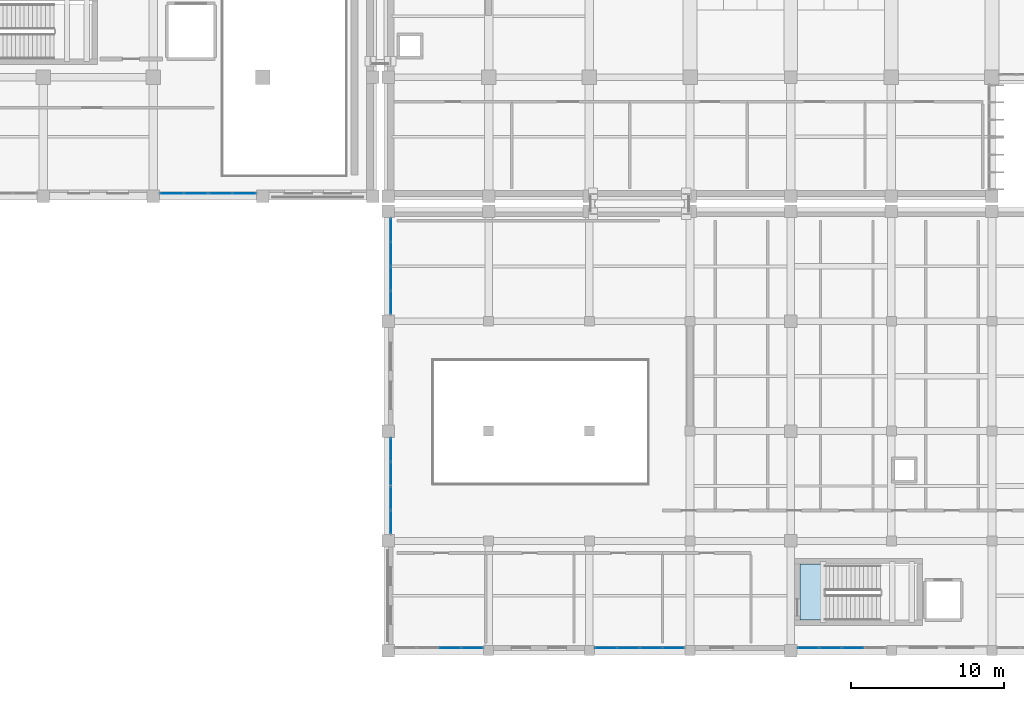
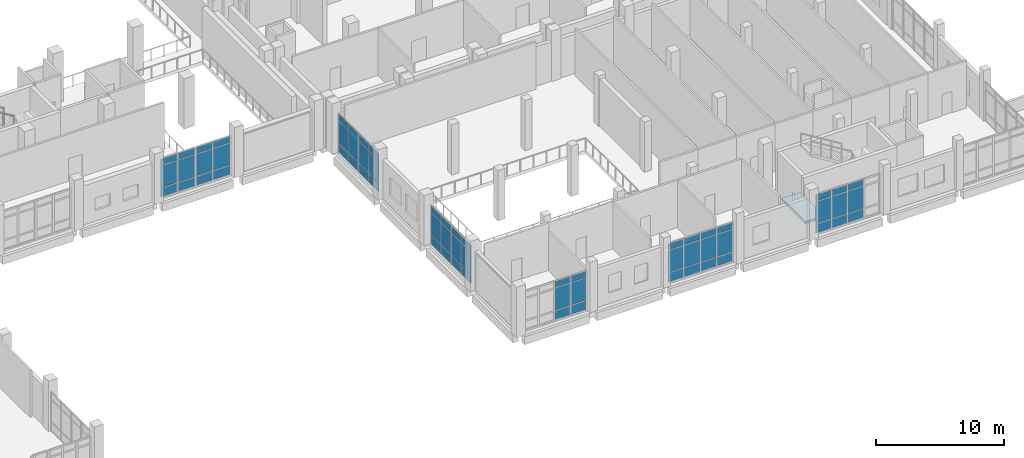
# One storey, part 51 of 90: 63 plates, 1 slab, 9 elements without a shape of their own.
"""IFC4 building model written with IfcOpenShell, lengths in metres."""

from ifc_helpers import new_model, si_unit, direction, frame, origin, origin_2d, place, context, subcontext, project, spatial, polyline, rectangle, outline, extrude, material, layer, layer_set, type_object, element, aggregate, save


model = new_model("IFC4")

# Units and contexts
model_context = context("Model", 3, precision=1e-05, world=origin(), true_north=direction((0.0, 1.0)))
body_context = subcontext(model_context, "Body", "Model", "MODEL_VIEW")
ifc_project = project(units=[si_unit("LENGTHUNIT", "METRE"), si_unit("AREAUNIT", "SQUARE_METRE"), si_unit("VOLUMEUNIT", "CUBIC_METRE"), si_unit("PLANEANGLEUNIT", "RADIAN"), si_unit("MASSUNIT", "GRAM", prefix="KILO")], contexts=[model_context])

# Site, building, storey
site_placement = place(None, origin())
site = spatial("IfcSite", under=ifc_project, at=site_placement, CompositionType="ELEMENT")
building_placement = place(site_placement, origin())
building = spatial("IfcBuilding", under=site, at=building_placement, Name="Kelarvand Opera House", CompositionType="ELEMENT")
storey_placement = place(building_placement, frame((0.0, 0.0, 5.39990234375)))
storey = spatial("IfcBuildingStorey", under=building, at=storey_placement, Name="L01", CompositionType="ELEMENT", Elevation=5.39990234375)

# Slab
ifc_material_1 = material(Name="Concrete C35/45", Category="concrete")
ifc_layer_1 = layer(ifc_material_1, 0.219970703125, Name="Concrete C35/45", Category="concrete")
ifc_layer_set_1 = layer_set([ifc_layer_1], Name="Concrete C35/45")
slab_type = type_object("IfcSlabType", Name="Core Stair Entry Landing Slab 220", PredefinedType="LANDING", material=ifc_layer_set_1)
slab_placement = place(storey_placement, frame((0.0, 0.0, -0.219970703125)))
element("IfcSlab", 1, at=slab_placement, inside=storey, type_object=slab_type, Name="C8 Stair Entry Landing L01", PredefinedType="LANDING", context=body_context, shape_type="SweptSolid", body=[
    extrude(outline(polyline([(116.0, 11.0), (117.719970703125, 11.0), (117.719970703125, 14.699951171875), (116.0, 14.699951171875), (116.0, 11.0)])), origin(), (0.0, 0.0, 1.0), 0.219970703125),
])

# Curtain wall, plates
ifc_material_2 = material(Name="Thermally broken aluminium and low-E glazing", Category="aluminium")
ifc_layer_2 = layer(ifc_material_2, 0.179931640625, Name="Thermally broken aluminium and low-E glazing", Category="aluminium")
ifc_layer_set_2 = layer_set([ifc_layer_2], Name="Thermally broken aluminium and low-E glazing")
curtain_wall_type_1 = type_object("IfcCurtainWallType", Name="Unitised Low-E Curtain Wall 3176x3730 Mod 1350 CWF-10", PredefinedType="USERDEFINED", material=ifc_layer_set_2)
curtain_wall_1_placement = place(storey_placement, origin())
curtain_wall_1 = element("IfcCurtainWall", 2, at=curtain_wall_1_placement, inside=storey, type_object=curtain_wall_type_1, Name="V2 L01 Curtain Wall CWF-10 (35)", ObjectType="UNITISED CURTAIN WALL", PredefinedType="USERDEFINED")
ifc_material_3 = material(Name="Low-E laminated double glazing", Category="glass")
ifc_layer_3 = layer(ifc_material_3, 0.031982421875, Name="Low-E laminated double glazing", Category="glass")
ifc_layer_set_3 = layer_set([ifc_layer_3], Name="Low-E laminated double glazing")
plate_type = type_object("IfcPlateType", Name="Low-E Argon Double Glazed Curtain Panel 32mm", PredefinedType="CURTAIN_PANEL", material=ifc_layer_set_3)
plate_1_placement = place(storey_placement, frame((79.56982421875, 38.97998046875, 0.06494140625), z_axis=(0.0, 0.0, 1.0), x_axis=(-1.0, 0.0, 0.0)))
plate_1 = element("IfcPlate", 3, at=plate_1_placement, type_object=plate_type, Name="CWF-10 panel 1.1", PredefinedType="CURTAIN_PANEL", context=body_context, shape_type="SweptSolid", body=[
    extrude(rectangle(XDim=1.490478515625, YDim=0.031982421875, at=origin_2d()), origin(), (0.0, 0.0, 1.0), 0.802490234375),
])
plate_2_placement = place(storey_placement, frame((79.56982421875, 38.97998046875, 0.9326171875), z_axis=(0.0, 0.0, 1.0), x_axis=(-1.0, 0.0, 0.0)))
plate_2 = element("IfcPlate", 4, at=plate_2_placement, type_object=plate_type, Name="CWF-10 panel 1.2", PredefinedType="CURTAIN_PANEL", context=body_context, shape_type="SweptSolid", body=[
    extrude(rectangle(XDim=1.490478515625, YDim=0.031982421875, at=origin_2d()), origin(), (0.0, 0.0, 1.0), 2.06494140625),
])
plate_3_placement = place(storey_placement, frame((79.56982421875, 38.97998046875, 3.0625), z_axis=(0.0, 0.0, 1.0), x_axis=(-1.0, 0.0, 0.0)))
plate_3 = element("IfcPlate", 5, at=plate_3_placement, type_object=plate_type, Name="CWF-10 panel 1.3", PredefinedType="CURTAIN_PANEL", context=body_context, shape_type="SweptSolid", body=[
    extrude(rectangle(XDim=1.490478515625, YDim=0.031982421875, at=origin_2d()), origin(), (0.0, 0.0, 1.0), 0.6025390625),
])
plate_4_placement = place(storey_placement, frame((78.01416015625, 38.97998046875, 0.06494140625), z_axis=(0.0, 0.0, 1.0), x_axis=(-1.0, 0.0, 0.0)))
plate_4 = element("IfcPlate", 6, at=plate_4_placement, type_object=plate_type, Name="CWF-10 panel 2.1", PredefinedType="CURTAIN_PANEL", context=body_context, shape_type="SweptSolid", body=[
    extrude(rectangle(XDim=1.490478515625, YDim=0.031982421875, at=origin_2d()), origin(), (0.0, 0.0, 1.0), 0.802490234375),
])
plate_5_placement = place(storey_placement, frame((78.01416015625, 38.97998046875, 0.9326171875), z_axis=(0.0, 0.0, 1.0), x_axis=(-1.0, 0.0, 0.0)))
plate_5 = element("IfcPlate", 7, at=plate_5_placement, type_object=plate_type, Name="CWF-10 panel 2.2", PredefinedType="CURTAIN_PANEL", context=body_context, shape_type="SweptSolid", body=[
    extrude(rectangle(XDim=1.490478515625, YDim=0.031982421875, at=origin_2d()), origin(), (0.0, 0.0, 1.0), 2.06494140625),
])
plate_6_placement = place(storey_placement, frame((78.01416015625, 38.97998046875, 3.0625), z_axis=(0.0, 0.0, 1.0), x_axis=(-1.0, 0.0, 0.0)))
plate_6 = element("IfcPlate", 8, at=plate_6_placement, type_object=plate_type, Name="CWF-10 panel 2.3", PredefinedType="CURTAIN_PANEL", context=body_context, shape_type="SweptSolid", body=[
    extrude(rectangle(XDim=1.490478515625, YDim=0.031982421875, at=origin_2d()), origin(), (0.0, 0.0, 1.0), 0.6025390625),
])
aggregate(curtain_wall_1, [plate_1, plate_2, plate_3, plate_4, plate_5, plate_6])

curtain_wall_2_placement = place(storey_placement, origin())
curtain_wall_2 = element("IfcCurtainWall", 9, at=curtain_wall_2_placement, inside=storey, type_object=curtain_wall_type_1, Name="V2 L01 Curtain Wall CWF-10 (36)", ObjectType="UNITISED CURTAIN WALL", PredefinedType="USERDEFINED")
plate_7_placement = place(storey_placement, frame((76.388671875, 38.97998046875, 0.06494140625), z_axis=(0.0, 0.0, 1.0), x_axis=(-1.0, 0.0, 0.0)))
plate_7 = element("IfcPlate", 10, at=plate_7_placement, type_object=plate_type, Name="CWF-10 panel 1.1", PredefinedType="CURTAIN_PANEL", context=body_context, shape_type="SweptSolid", body=[
    extrude(rectangle(XDim=1.492431640625, YDim=0.031982421875, at=origin_2d()), origin(), (0.0, 0.0, 1.0), 0.802490234375),
])
plate_8_placement = place(storey_placement, frame((76.388671875, 38.97998046875, 0.9326171875), z_axis=(0.0, 0.0, 1.0), x_axis=(-1.0, 0.0, 0.0)))
plate_8 = element("IfcPlate", 11, at=plate_8_placement, type_object=plate_type, Name="CWF-10 panel 1.2", PredefinedType="CURTAIN_PANEL", context=body_context, shape_type="SweptSolid", body=[
    extrude(rectangle(XDim=1.492431640625, YDim=0.031982421875, at=origin_2d()), origin(), (0.0, 0.0, 1.0), 2.06494140625),
])
plate_9_placement = place(storey_placement, frame((76.388671875, 38.97998046875, 3.0625), z_axis=(0.0, 0.0, 1.0), x_axis=(-1.0, 0.0, 0.0)))
plate_9 = element("IfcPlate", 12, at=plate_9_placement, type_object=plate_type, Name="CWF-10 panel 1.3", PredefinedType="CURTAIN_PANEL", context=body_context, shape_type="SweptSolid", body=[
    extrude(rectangle(XDim=1.492431640625, YDim=0.031982421875, at=origin_2d()), origin(), (0.0, 0.0, 1.0), 0.6025390625),
])
plate_10_placement = place(storey_placement, frame((74.831298828125, 38.97998046875, 0.06494140625), z_axis=(0.0, 0.0, 1.0), x_axis=(-1.0, 0.0, 0.0)))
plate_10 = element("IfcPlate", 13, at=plate_10_placement, type_object=plate_type, Name="CWF-10 panel 2.1", PredefinedType="CURTAIN_PANEL", context=body_context, shape_type="SweptSolid", body=[
    extrude(rectangle(XDim=1.492431640625, YDim=0.031982421875, at=origin_2d()), origin(), (0.0, 0.0, 1.0), 0.802490234375),
])
plate_11_placement = place(storey_placement, frame((74.831298828125, 38.97998046875, 0.9326171875), z_axis=(0.0, 0.0, 1.0), x_axis=(-1.0, 0.0, 0.0)))
plate_11 = element("IfcPlate", 14, at=plate_11_placement, type_object=plate_type, Name="CWF-10 panel 2.2", PredefinedType="CURTAIN_PANEL", context=body_context, shape_type="SweptSolid", body=[
    extrude(rectangle(XDim=1.492431640625, YDim=0.031982421875, at=origin_2d()), origin(), (0.0, 0.0, 1.0), 2.06494140625),
])
plate_12_placement = place(storey_placement, frame((74.831298828125, 38.97998046875, 3.0625), z_axis=(0.0, 0.0, 1.0), x_axis=(-1.0, 0.0, 0.0)))
plate_12 = element("IfcPlate", 15, at=plate_12_placement, type_object=plate_type, Name="CWF-10 panel 2.3", PredefinedType="CURTAIN_PANEL", context=body_context, shape_type="SweptSolid", body=[
    extrude(rectangle(XDim=1.492431640625, YDim=0.031982421875, at=origin_2d()), origin(), (0.0, 0.0, 1.0), 0.6025390625),
])
aggregate(curtain_wall_2, [plate_7, plate_8, plate_9, plate_10, plate_11, plate_12])

curtain_wall_3_placement = place(storey_placement, origin())
curtain_wall_3 = element("IfcCurtainWall", 16, at=curtain_wall_3_placement, inside=storey, type_object=curtain_wall_type_1, Name="V6 L01 Curtain Wall CWF-10 (209)", ObjectType="UNITISED CURTAIN WALL", PredefinedType="USERDEFINED")
plate_13_placement = place(storey_placement, frame((89.179931640625, 17.43017578125, 0.06494140625), z_axis=(0.0, 0.0, 1.0), x_axis=(0.0, 1.0, 0.0)))
plate_13 = element("IfcPlate", 17, at=plate_13_placement, type_object=plate_type, Name="CWF-10 panel 1.1", PredefinedType="CURTAIN_PANEL", context=body_context, shape_type="SweptSolid", body=[
    extrude(rectangle(XDim=1.490478515625, YDim=0.031982421875, at=origin_2d()), origin(), (0.0, 0.0, 1.0), 0.802490234375),
])
plate_14_placement = place(storey_placement, frame((89.179931640625, 17.43017578125, 0.9326171875), z_axis=(0.0, 0.0, 1.0), x_axis=(0.0, 1.0, 0.0)))
plate_14 = element("IfcPlate", 18, at=plate_14_placement, type_object=plate_type, Name="CWF-10 panel 1.2", PredefinedType="CURTAIN_PANEL", context=body_context, shape_type="SweptSolid", body=[
    extrude(rectangle(XDim=1.490478515625, YDim=0.031982421875, at=origin_2d()), origin(), (0.0, 0.0, 1.0), 2.0849609375),
])
plate_15_placement = place(storey_placement, frame((89.179931640625, 17.43017578125, 3.08251953125), z_axis=(0.0, 0.0, 1.0), x_axis=(0.0, 1.0, 0.0)))
plate_15 = element("IfcPlate", 19, at=plate_15_placement, type_object=plate_type, Name="CWF-10 panel 1.3", PredefinedType="CURTAIN_PANEL", context=body_context, shape_type="SweptSolid", body=[
    extrude(rectangle(XDim=1.490478515625, YDim=0.031982421875, at=origin_2d()), origin(), (0.0, 0.0, 1.0), 0.6025390625),
])
plate_16_placement = place(storey_placement, frame((89.179931640625, 18.98583984375, 0.06494140625), z_axis=(0.0, 0.0, 1.0), x_axis=(0.0, 1.0, 0.0)))
plate_16 = element("IfcPlate", 20, at=plate_16_placement, type_object=plate_type, Name="CWF-10 panel 2.1", PredefinedType="CURTAIN_PANEL", context=body_context, shape_type="SweptSolid", body=[
    extrude(rectangle(XDim=1.490478515625, YDim=0.031982421875, at=origin_2d()), origin(), (0.0, 0.0, 1.0), 0.802490234375),
])
plate_17_placement = place(storey_placement, frame((89.179931640625, 18.98583984375, 0.9326171875), z_axis=(0.0, 0.0, 1.0), x_axis=(0.0, 1.0, 0.0)))
plate_17 = element("IfcPlate", 21, at=plate_17_placement, type_object=plate_type, Name="CWF-10 panel 2.2", PredefinedType="CURTAIN_PANEL", context=body_context, shape_type="SweptSolid", body=[
    extrude(rectangle(XDim=1.490478515625, YDim=0.031982421875, at=origin_2d()), origin(), (0.0, 0.0, 1.0), 2.0849609375),
])
plate_18_placement = place(storey_placement, frame((89.179931640625, 18.98583984375, 3.08251953125), z_axis=(0.0, 0.0, 1.0), x_axis=(0.0, 1.0, 0.0)))
plate_18 = element("IfcPlate", 22, at=plate_18_placement, type_object=plate_type, Name="CWF-10 panel 2.3", PredefinedType="CURTAIN_PANEL", context=body_context, shape_type="SweptSolid", body=[
    extrude(rectangle(XDim=1.490478515625, YDim=0.031982421875, at=origin_2d()), origin(), (0.0, 0.0, 1.0), 0.6025390625),
])
aggregate(curtain_wall_3, [plate_13, plate_14, plate_15, plate_16, plate_17, plate_18])

curtain_wall_4_placement = place(storey_placement, origin())
curtain_wall_4 = element("IfcCurtainWall", 23, at=curtain_wall_4_placement, inside=storey, type_object=curtain_wall_type_1, Name="V6 L01 Curtain Wall CWF-10 (210)", ObjectType="UNITISED CURTAIN WALL", PredefinedType="USERDEFINED")
plate_19_placement = place(storey_placement, frame((89.179931640625, 20.611328125, 0.06494140625), z_axis=(0.0, 0.0, 1.0), x_axis=(0.0, 1.0, 0.0)))
plate_19 = element("IfcPlate", 24, at=plate_19_placement, type_object=plate_type, Name="CWF-10 panel 1.1", PredefinedType="CURTAIN_PANEL", context=body_context, shape_type="SweptSolid", body=[
    extrude(rectangle(XDim=1.492431640625, YDim=0.031982421875, at=origin_2d()), origin(), (0.0, 0.0, 1.0), 0.802490234375),
])
plate_20_placement = place(storey_placement, frame((89.179931640625, 20.611328125, 0.9326171875), z_axis=(0.0, 0.0, 1.0), x_axis=(0.0, 1.0, 0.0)))
plate_20 = element("IfcPlate", 25, at=plate_20_placement, type_object=plate_type, Name="CWF-10 panel 1.2", PredefinedType="CURTAIN_PANEL", context=body_context, shape_type="SweptSolid", body=[
    extrude(rectangle(XDim=1.492431640625, YDim=0.031982421875, at=origin_2d()), origin(), (0.0, 0.0, 1.0), 2.0849609375),
])
plate_21_placement = place(storey_placement, frame((89.179931640625, 20.611328125, 3.08251953125), z_axis=(0.0, 0.0, 1.0), x_axis=(0.0, 1.0, 0.0)))
plate_21 = element("IfcPlate", 26, at=plate_21_placement, type_object=plate_type, Name="CWF-10 panel 1.3", PredefinedType="CURTAIN_PANEL", context=body_context, shape_type="SweptSolid", body=[
    extrude(rectangle(XDim=1.492431640625, YDim=0.031982421875, at=origin_2d()), origin(), (0.0, 0.0, 1.0), 0.6025390625),
])
plate_22_placement = place(storey_placement, frame((89.179931640625, 22.168701171875, 0.06494140625), z_axis=(0.0, 0.0, 1.0), x_axis=(0.0, 1.0, 0.0)))
plate_22 = element("IfcPlate", 27, at=plate_22_placement, type_object=plate_type, Name="CWF-10 panel 2.1", PredefinedType="CURTAIN_PANEL", context=body_context, shape_type="SweptSolid", body=[
    extrude(rectangle(XDim=1.492431640625, YDim=0.031982421875, at=origin_2d()), origin(), (0.0, 0.0, 1.0), 0.802490234375),
])
plate_23_placement = place(storey_placement, frame((89.179931640625, 22.168701171875, 0.9326171875), z_axis=(0.0, 0.0, 1.0), x_axis=(0.0, 1.0, 0.0)))
plate_23 = element("IfcPlate", 28, at=plate_23_placement, type_object=plate_type, Name="CWF-10 panel 2.2", PredefinedType="CURTAIN_PANEL", context=body_context, shape_type="SweptSolid", body=[
    extrude(rectangle(XDim=1.492431640625, YDim=0.031982421875, at=origin_2d()), origin(), (0.0, 0.0, 1.0), 2.0849609375),
])
plate_24_placement = place(storey_placement, frame((89.179931640625, 22.168701171875, 3.08251953125), z_axis=(0.0, 0.0, 1.0), x_axis=(0.0, 1.0, 0.0)))
plate_24 = element("IfcPlate", 29, at=plate_24_placement, type_object=plate_type, Name="CWF-10 panel 2.3", PredefinedType="CURTAIN_PANEL", context=body_context, shape_type="SweptSolid", body=[
    extrude(rectangle(XDim=1.492431640625, YDim=0.031982421875, at=origin_2d()), origin(), (0.0, 0.0, 1.0), 0.6025390625),
])
aggregate(curtain_wall_4, [plate_19, plate_20, plate_21, plate_22, plate_23, plate_24])

curtain_wall_5_placement = place(storey_placement, origin())
curtain_wall_5 = element("IfcCurtainWall", 30, at=curtain_wall_5_placement, inside=storey, type_object=curtain_wall_type_1, Name="V6 L01 Curtain Wall CWF-10 (211)", ObjectType="UNITISED CURTAIN WALL", PredefinedType="USERDEFINED")
plate_25_placement = place(storey_placement, frame((89.179931640625, 31.830322265625, 0.06494140625), z_axis=(0.0, 0.0, 1.0), x_axis=(0.0, 1.0, 0.0)))
plate_25 = element("IfcPlate", 31, at=plate_25_placement, type_object=plate_type, Name="CWF-10 panel 1.1", PredefinedType="CURTAIN_PANEL", context=body_context, shape_type="SweptSolid", body=[
    extrude(rectangle(XDim=1.490478515625, YDim=0.031982421875, at=origin_2d()), origin(), (0.0, 0.0, 1.0), 0.802490234375),
])
plate_26_placement = place(storey_placement, frame((89.179931640625, 31.830322265625, 0.9326171875), z_axis=(0.0, 0.0, 1.0), x_axis=(0.0, 1.0, 0.0)))
plate_26 = element("IfcPlate", 32, at=plate_26_placement, type_object=plate_type, Name="CWF-10 panel 1.2", PredefinedType="CURTAIN_PANEL", context=body_context, shape_type="SweptSolid", body=[
    extrude(rectangle(XDim=1.490478515625, YDim=0.031982421875, at=origin_2d()), origin(), (0.0, 0.0, 1.0), 2.0849609375),
])
plate_27_placement = place(storey_placement, frame((89.179931640625, 31.830322265625, 3.08251953125), z_axis=(0.0, 0.0, 1.0), x_axis=(0.0, 1.0, 0.0)))
plate_27 = element("IfcPlate", 33, at=plate_27_placement, type_object=plate_type, Name="CWF-10 panel 1.3", PredefinedType="CURTAIN_PANEL", context=body_context, shape_type="SweptSolid", body=[
    extrude(rectangle(XDim=1.490478515625, YDim=0.031982421875, at=origin_2d()), origin(), (0.0, 0.0, 1.0), 0.6025390625),
])
plate_28_placement = place(storey_placement, frame((89.179931640625, 33.3857421875, 0.06494140625), z_axis=(0.0, 0.0, 1.0), x_axis=(0.0, 1.0, 0.0)))
plate_28 = element("IfcPlate", 34, at=plate_28_placement, type_object=plate_type, Name="CWF-10 panel 2.1", PredefinedType="CURTAIN_PANEL", context=body_context, shape_type="SweptSolid", body=[
    extrude(rectangle(XDim=1.490478515625, YDim=0.031982421875, at=origin_2d()), origin(), (0.0, 0.0, 1.0), 0.802490234375),
])
plate_29_placement = place(storey_placement, frame((89.179931640625, 33.3857421875, 0.9326171875), z_axis=(0.0, 0.0, 1.0), x_axis=(0.0, 1.0, 0.0)))
plate_29 = element("IfcPlate", 35, at=plate_29_placement, type_object=plate_type, Name="CWF-10 panel 2.2", PredefinedType="CURTAIN_PANEL", context=body_context, shape_type="SweptSolid", body=[
    extrude(rectangle(XDim=1.490478515625, YDim=0.031982421875, at=origin_2d()), origin(), (0.0, 0.0, 1.0), 2.0849609375),
])
plate_30_placement = place(storey_placement, frame((89.179931640625, 33.3857421875, 3.08251953125), z_axis=(0.0, 0.0, 1.0), x_axis=(0.0, 1.0, 0.0)))
plate_30 = element("IfcPlate", 36, at=plate_30_placement, type_object=plate_type, Name="CWF-10 panel 2.3", PredefinedType="CURTAIN_PANEL", context=body_context, shape_type="SweptSolid", body=[
    extrude(rectangle(XDim=1.490478515625, YDim=0.031982421875, at=origin_2d()), origin(), (0.0, 0.0, 1.0), 0.6025390625),
])
aggregate(curtain_wall_5, [plate_25, plate_26, plate_27, plate_28, plate_29, plate_30])

curtain_wall_6_placement = place(storey_placement, origin())
curtain_wall_6 = element("IfcCurtainWall", 37, at=curtain_wall_6_placement, inside=storey, type_object=curtain_wall_type_1, Name="V6 L01 Curtain Wall CWF-10 (212)", ObjectType="UNITISED CURTAIN WALL", PredefinedType="USERDEFINED")
plate_31_placement = place(storey_placement, frame((89.179931640625, 35.01123046875, 0.06494140625), z_axis=(0.0, 0.0, 1.0), x_axis=(0.0, 1.0, 0.0)))
plate_31 = element("IfcPlate", 38, at=plate_31_placement, type_object=plate_type, Name="CWF-10 panel 1.1", PredefinedType="CURTAIN_PANEL", context=body_context, shape_type="SweptSolid", body=[
    extrude(rectangle(XDim=1.492431640625, YDim=0.031982421875, at=origin_2d()), origin(), (0.0, 0.0, 1.0), 0.802490234375),
])
plate_32_placement = place(storey_placement, frame((89.179931640625, 35.01123046875, 0.9326171875), z_axis=(0.0, 0.0, 1.0), x_axis=(0.0, 1.0, 0.0)))
plate_32 = element("IfcPlate", 39, at=plate_32_placement, type_object=plate_type, Name="CWF-10 panel 1.2", PredefinedType="CURTAIN_PANEL", context=body_context, shape_type="SweptSolid", body=[
    extrude(rectangle(XDim=1.492431640625, YDim=0.031982421875, at=origin_2d()), origin(), (0.0, 0.0, 1.0), 2.0849609375),
])
plate_33_placement = place(storey_placement, frame((89.179931640625, 35.01123046875, 3.08251953125), z_axis=(0.0, 0.0, 1.0), x_axis=(0.0, 1.0, 0.0)))
plate_33 = element("IfcPlate", 40, at=plate_33_placement, type_object=plate_type, Name="CWF-10 panel 1.3", PredefinedType="CURTAIN_PANEL", context=body_context, shape_type="SweptSolid", body=[
    extrude(rectangle(XDim=1.492431640625, YDim=0.031982421875, at=origin_2d()), origin(), (0.0, 0.0, 1.0), 0.6025390625),
])
plate_34_placement = place(storey_placement, frame((89.179931640625, 36.56884765625, 0.06494140625), z_axis=(0.0, 0.0, 1.0), x_axis=(0.0, 1.0, 0.0)))
plate_34 = element("IfcPlate", 41, at=plate_34_placement, type_object=plate_type, Name="CWF-10 panel 2.1", PredefinedType="CURTAIN_PANEL", context=body_context, shape_type="SweptSolid", body=[
    extrude(rectangle(XDim=1.492431640625, YDim=0.031982421875, at=origin_2d()), origin(), (0.0, 0.0, 1.0), 0.802490234375),
])
plate_35_placement = place(storey_placement, frame((89.179931640625, 36.56884765625, 0.9326171875), z_axis=(0.0, 0.0, 1.0), x_axis=(0.0, 1.0, 0.0)))
plate_35 = element("IfcPlate", 42, at=plate_35_placement, type_object=plate_type, Name="CWF-10 panel 2.2", PredefinedType="CURTAIN_PANEL", context=body_context, shape_type="SweptSolid", body=[
    extrude(rectangle(XDim=1.492431640625, YDim=0.031982421875, at=origin_2d()), origin(), (0.0, 0.0, 1.0), 2.0849609375),
])
plate_36_placement = place(storey_placement, frame((89.179931640625, 36.56884765625, 3.08251953125), z_axis=(0.0, 0.0, 1.0), x_axis=(0.0, 1.0, 0.0)))
plate_36 = element("IfcPlate", 43, at=plate_36_placement, type_object=plate_type, Name="CWF-10 panel 2.3", PredefinedType="CURTAIN_PANEL", context=body_context, shape_type="SweptSolid", body=[
    extrude(rectangle(XDim=1.492431640625, YDim=0.031982421875, at=origin_2d()), origin(), (0.0, 0.0, 1.0), 0.6025390625),
])
aggregate(curtain_wall_6, [plate_31, plate_32, plate_33, plate_34, plate_35, plate_36])

ifc_layer_4 = layer(ifc_material_2, 0.179931640625, Name="Thermally broken aluminium and low-E glazing", Category="aluminium")
ifc_layer_set_4 = layer_set([ifc_layer_4], Name="Thermally broken aluminium and low-E glazing")
curtain_wall_type_2 = type_object("IfcCurtainWallType", Name="Unitised Low-E Curtain Wall 5845x3750 Mod 1350 CWF-56", PredefinedType="USERDEFINED", material=ifc_layer_set_4)
curtain_wall_7_placement = place(storey_placement, origin())
curtain_wall_7 = element("IfcCurtainWall", 44, at=curtain_wall_7_placement, inside=storey, type_object=curtain_wall_type_2, Name="V6 L01 Curtain Wall CWF-56 (214)", ObjectType="UNITISED CURTAIN WALL", PredefinedType="USERDEFINED")
plate_37_placement = place(storey_placement, frame((119.47314453125, 9.179931640625, 0.06494140625), z_axis=(0.0, 0.0, 1.0), x_axis=(-1.0, 0.0, 0.0)))
plate_37 = element("IfcPlate", 45, at=plate_37_placement, type_object=plate_type, Name="CWF-56 panel 2.1", PredefinedType="CURTAIN_PANEL", context=body_context, shape_type="SweptSolid", body=[
    extrude(rectangle(XDim=1.396240234375, YDim=0.031982421875, at=origin_2d()), origin(), (0.0, 0.0, 1.0), 0.802490234375),
])
plate_38_placement = place(storey_placement, frame((119.47314453125, 9.179931640625, 0.9326171875), z_axis=(0.0, 0.0, 1.0), x_axis=(-1.0, 0.0, 0.0)))
plate_38 = element("IfcPlate", 46, at=plate_38_placement, type_object=plate_type, Name="CWF-56 panel 2.2", PredefinedType="CURTAIN_PANEL", context=body_context, shape_type="SweptSolid", body=[
    extrude(rectangle(XDim=1.396240234375, YDim=0.031982421875, at=origin_2d()), origin(), (0.0, 0.0, 1.0), 2.0849609375),
])
plate_39_placement = place(storey_placement, frame((119.47314453125, 9.179931640625, 3.08251953125), z_axis=(0.0, 0.0, 1.0), x_axis=(-1.0, 0.0, 0.0)))
plate_39 = element("IfcPlate", 47, at=plate_39_placement, type_object=plate_type, Name="CWF-56 panel 2.3", PredefinedType="CURTAIN_PANEL", context=body_context, shape_type="SweptSolid", body=[
    extrude(rectangle(XDim=1.396240234375, YDim=0.031982421875, at=origin_2d()), origin(), (0.0, 0.0, 1.0), 0.6025390625),
])
plate_40_placement = place(storey_placement, frame((118.011962890625, 9.179931640625, 0.06494140625), z_axis=(0.0, 0.0, 1.0), x_axis=(-1.0, 0.0, 0.0)))
plate_40 = element("IfcPlate", 48, at=plate_40_placement, type_object=plate_type, Name="CWF-56 panel 3.1", PredefinedType="CURTAIN_PANEL", context=body_context, shape_type="SweptSolid", body=[
    extrude(rectangle(XDim=1.396240234375, YDim=0.031982421875, at=origin_2d()), origin(), (0.0, 0.0, 1.0), 0.802490234375),
])
plate_41_placement = place(storey_placement, frame((118.011962890625, 9.179931640625, 0.9326171875), z_axis=(0.0, 0.0, 1.0), x_axis=(-1.0, 0.0, 0.0)))
plate_41 = element("IfcPlate", 49, at=plate_41_placement, type_object=plate_type, Name="CWF-56 panel 3.2", PredefinedType="CURTAIN_PANEL", context=body_context, shape_type="SweptSolid", body=[
    extrude(rectangle(XDim=1.396240234375, YDim=0.031982421875, at=origin_2d()), origin(), (0.0, 0.0, 1.0), 2.0849609375),
])
plate_42_placement = place(storey_placement, frame((118.011962890625, 9.179931640625, 3.08251953125), z_axis=(0.0, 0.0, 1.0), x_axis=(-1.0, 0.0, 0.0)))
plate_42 = element("IfcPlate", 50, at=plate_42_placement, type_object=plate_type, Name="CWF-56 panel 3.3", PredefinedType="CURTAIN_PANEL", context=body_context, shape_type="SweptSolid", body=[
    extrude(rectangle(XDim=1.396240234375, YDim=0.031982421875, at=origin_2d()), origin(), (0.0, 0.0, 1.0), 0.6025390625),
])
plate_43_placement = place(storey_placement, frame((116.56689453125, 9.179931640625, 0.06494140625), z_axis=(0.0, 0.0, 1.0), x_axis=(-1.0, 0.0, 0.0)))
plate_43 = element("IfcPlate", 51, at=plate_43_placement, type_object=plate_type, Name="CWF-56 panel 4.1", PredefinedType="CURTAIN_PANEL", context=body_context, shape_type="SweptSolid", body=[
    extrude(rectangle(XDim=1.36376953125, YDim=0.031982421875, at=origin_2d()), origin(), (0.0, 0.0, 1.0), 0.802490234375),
])
plate_44_placement = place(storey_placement, frame((116.56689453125, 9.179931640625, 0.9326171875), z_axis=(0.0, 0.0, 1.0), x_axis=(-1.0, 0.0, 0.0)))
plate_44 = element("IfcPlate", 52, at=plate_44_placement, type_object=plate_type, Name="CWF-56 panel 4.2", PredefinedType="CURTAIN_PANEL", context=body_context, shape_type="SweptSolid", body=[
    extrude(rectangle(XDim=1.36376953125, YDim=0.031982421875, at=origin_2d()), origin(), (0.0, 0.0, 1.0), 2.0849609375),
])
plate_45_placement = place(storey_placement, frame((116.56689453125, 9.179931640625, 3.08251953125), z_axis=(0.0, 0.0, 1.0), x_axis=(-1.0, 0.0, 0.0)))
plate_45 = element("IfcPlate", 53, at=plate_45_placement, type_object=plate_type, Name="CWF-56 panel 4.3", PredefinedType="CURTAIN_PANEL", context=body_context, shape_type="SweptSolid", body=[
    extrude(rectangle(XDim=1.36376953125, YDim=0.031982421875, at=origin_2d()), origin(), (0.0, 0.0, 1.0), 0.6025390625),
])
aggregate(curtain_wall_7, [plate_37, plate_38, plate_39, plate_40, plate_41, plate_42, plate_43, plate_44, plate_45])

ifc_layer_5 = layer(ifc_material_2, 0.179931640625, Name="Thermally broken aluminium and low-E glazing", Category="aluminium")
ifc_layer_set_5 = layer_set([ifc_layer_5], Name="Thermally broken aluminium and low-E glazing")
curtain_wall_type_3 = type_object("IfcCurtainWallType", Name="Unitised Low-E Curtain Wall 5930x3750 Mod 1350 CWF-55", PredefinedType="USERDEFINED", material=ifc_layer_set_5)
curtain_wall_8_placement = place(storey_placement, origin())
curtain_wall_8 = element("IfcCurtainWall", 54, at=curtain_wall_8_placement, inside=storey, type_object=curtain_wall_type_3, Name="V6 L01 Curtain Wall CWF-55 (215)", ObjectType="UNITISED CURTAIN WALL", PredefinedType="USERDEFINED")
plate_46_placement = place(storey_placement, frame((107.70751953125, 9.179931640625, 0.06494140625), z_axis=(0.0, 0.0, 1.0), x_axis=(-1.0, 0.0, 0.0)))
plate_46 = element("IfcPlate", 55, at=plate_46_placement, type_object=plate_type, Name="CWF-55 panel 1.1", PredefinedType="CURTAIN_PANEL", context=body_context, shape_type="SweptSolid", body=[
    extrude(rectangle(XDim=1.385009765625, YDim=0.031982421875, at=origin_2d()), origin(), (0.0, 0.0, 1.0), 0.802490234375),
])
plate_47_placement = place(storey_placement, frame((107.70751953125, 9.179931640625, 0.9326171875), z_axis=(0.0, 0.0, 1.0), x_axis=(-1.0, 0.0, 0.0)))
plate_47 = element("IfcPlate", 56, at=plate_47_placement, type_object=plate_type, Name="CWF-55 panel 1.2", PredefinedType="CURTAIN_PANEL", context=body_context, shape_type="SweptSolid", body=[
    extrude(rectangle(XDim=1.385009765625, YDim=0.031982421875, at=origin_2d()), origin(), (0.0, 0.0, 1.0), 2.0849609375),
])
plate_48_placement = place(storey_placement, frame((107.70751953125, 9.179931640625, 3.08251953125), z_axis=(0.0, 0.0, 1.0), x_axis=(-1.0, 0.0, 0.0)))
plate_48 = element("IfcPlate", 57, at=plate_48_placement, type_object=plate_type, Name="CWF-55 panel 1.3", PredefinedType="CURTAIN_PANEL", context=body_context, shape_type="SweptSolid", body=[
    extrude(rectangle(XDim=1.385009765625, YDim=0.031982421875, at=origin_2d()), origin(), (0.0, 0.0, 1.0), 0.6025390625),
])
plate_49_placement = place(storey_placement, frame((106.2412109375, 9.179931640625, 0.06494140625), z_axis=(0.0, 0.0, 1.0), x_axis=(-1.0, 0.0, 0.0)))
plate_49 = element("IfcPlate", 58, at=plate_49_placement, type_object=plate_type, Name="CWF-55 panel 2.1", PredefinedType="CURTAIN_PANEL", context=body_context, shape_type="SweptSolid", body=[
    extrude(rectangle(XDim=1.41748046875, YDim=0.031982421875, at=origin_2d()), origin(), (0.0, 0.0, 1.0), 0.802490234375),
])
plate_50_placement = place(storey_placement, frame((106.2412109375, 9.179931640625, 0.9326171875), z_axis=(0.0, 0.0, 1.0), x_axis=(-1.0, 0.0, 0.0)))
plate_50 = element("IfcPlate", 59, at=plate_50_placement, type_object=plate_type, Name="CWF-55 panel 2.2", PredefinedType="CURTAIN_PANEL", context=body_context, shape_type="SweptSolid", body=[
    extrude(rectangle(XDim=1.41748046875, YDim=0.031982421875, at=origin_2d()), origin(), (0.0, 0.0, 1.0), 2.0849609375),
])
plate_51_placement = place(storey_placement, frame((106.2412109375, 9.179931640625, 3.08251953125), z_axis=(0.0, 0.0, 1.0), x_axis=(-1.0, 0.0, 0.0)))
plate_51 = element("IfcPlate", 60, at=plate_51_placement, type_object=plate_type, Name="CWF-55 panel 2.3", PredefinedType="CURTAIN_PANEL", context=body_context, shape_type="SweptSolid", body=[
    extrude(rectangle(XDim=1.41748046875, YDim=0.031982421875, at=origin_2d()), origin(), (0.0, 0.0, 1.0), 0.6025390625),
])
plate_52_placement = place(storey_placement, frame((104.7587890625, 9.179931640625, 0.06494140625), z_axis=(0.0, 0.0, 1.0), x_axis=(-1.0, 0.0, 0.0)))
plate_52 = element("IfcPlate", 61, at=plate_52_placement, type_object=plate_type, Name="CWF-55 panel 3.1", PredefinedType="CURTAIN_PANEL", context=body_context, shape_type="SweptSolid", body=[
    extrude(rectangle(XDim=1.41748046875, YDim=0.031982421875, at=origin_2d()), origin(), (0.0, 0.0, 1.0), 0.802490234375),
])
plate_53_placement = place(storey_placement, frame((104.7587890625, 9.179931640625, 0.9326171875), z_axis=(0.0, 0.0, 1.0), x_axis=(-1.0, 0.0, 0.0)))
plate_53 = element("IfcPlate", 62, at=plate_53_placement, type_object=plate_type, Name="CWF-55 panel 3.2", PredefinedType="CURTAIN_PANEL", context=body_context, shape_type="SweptSolid", body=[
    extrude(rectangle(XDim=1.41748046875, YDim=0.031982421875, at=origin_2d()), origin(), (0.0, 0.0, 1.0), 2.0849609375),
])
plate_54_placement = place(storey_placement, frame((104.7587890625, 9.179931640625, 3.08251953125), z_axis=(0.0, 0.0, 1.0), x_axis=(-1.0, 0.0, 0.0)))
plate_54 = element("IfcPlate", 63, at=plate_54_placement, type_object=plate_type, Name="CWF-55 panel 3.3", PredefinedType="CURTAIN_PANEL", context=body_context, shape_type="SweptSolid", body=[
    extrude(rectangle(XDim=1.41748046875, YDim=0.031982421875, at=origin_2d()), origin(), (0.0, 0.0, 1.0), 0.6025390625),
])
plate_55_placement = place(storey_placement, frame((103.29248046875, 9.179931640625, 0.06494140625), z_axis=(0.0, 0.0, 1.0), x_axis=(-1.0, 0.0, 0.0)))
plate_55 = element("IfcPlate", 64, at=plate_55_placement, type_object=plate_type, Name="CWF-55 panel 4.1", PredefinedType="CURTAIN_PANEL", context=body_context, shape_type="SweptSolid", body=[
    extrude(rectangle(XDim=1.385009765625, YDim=0.031982421875, at=origin_2d()), origin(), (0.0, 0.0, 1.0), 0.802490234375),
])
plate_56_placement = place(storey_placement, frame((103.29248046875, 9.179931640625, 0.9326171875), z_axis=(0.0, 0.0, 1.0), x_axis=(-1.0, 0.0, 0.0)))
plate_56 = element("IfcPlate", 65, at=plate_56_placement, type_object=plate_type, Name="CWF-55 panel 4.2", PredefinedType="CURTAIN_PANEL", context=body_context, shape_type="SweptSolid", body=[
    extrude(rectangle(XDim=1.385009765625, YDim=0.031982421875, at=origin_2d()), origin(), (0.0, 0.0, 1.0), 2.0849609375),
])
plate_57_placement = place(storey_placement, frame((103.29248046875, 9.179931640625, 3.08251953125), z_axis=(0.0, 0.0, 1.0), x_axis=(-1.0, 0.0, 0.0)))
plate_57 = element("IfcPlate", 66, at=plate_57_placement, type_object=plate_type, Name="CWF-55 panel 4.3", PredefinedType="CURTAIN_PANEL", context=body_context, shape_type="SweptSolid", body=[
    extrude(rectangle(XDim=1.385009765625, YDim=0.031982421875, at=origin_2d()), origin(), (0.0, 0.0, 1.0), 0.6025390625),
])
aggregate(curtain_wall_8, [plate_46, plate_47, plate_48, plate_49, plate_50, plate_51, plate_52, plate_53, plate_54, plate_55, plate_56, plate_57])

curtain_wall_9_placement = place(storey_placement, origin())
curtain_wall_9 = element("IfcCurtainWall", 67, at=curtain_wall_9_placement, inside=storey, type_object=curtain_wall_type_2, Name="V6 L01 Curtain Wall CWF-56 (216)", ObjectType="UNITISED CURTAIN WALL", PredefinedType="USERDEFINED")
plate_58_placement = place(storey_placement, frame((94.51806640625, 9.179931640625, 0.06494140625), z_axis=(0.0, 0.0, 1.0), x_axis=(-1.0, 0.0, 0.0)))
plate_58 = element("IfcPlate", 68, at=plate_58_placement, type_object=plate_type, Name="CWF-56 panel 1.1", PredefinedType="CURTAIN_PANEL", context=body_context, shape_type="SweptSolid", body=[
    extrude(rectangle(XDim=1.36376953125, YDim=0.031982421875, at=origin_2d()), origin(), (0.0, 0.0, 1.0), 0.802490234375),
])
plate_59_placement = place(storey_placement, frame((94.51806640625, 9.179931640625, 0.9326171875), z_axis=(0.0, 0.0, 1.0), x_axis=(-1.0, 0.0, 0.0)))
plate_59 = element("IfcPlate", 69, at=plate_59_placement, type_object=plate_type, Name="CWF-56 panel 1.2", PredefinedType="CURTAIN_PANEL", context=body_context, shape_type="SweptSolid", body=[
    extrude(rectangle(XDim=1.36376953125, YDim=0.031982421875, at=origin_2d()), origin(), (0.0, 0.0, 1.0), 2.0849609375),
])
plate_60_placement = place(storey_placement, frame((94.51806640625, 9.179931640625, 3.08251953125), z_axis=(0.0, 0.0, 1.0), x_axis=(-1.0, 0.0, 0.0)))
plate_60 = element("IfcPlate", 70, at=plate_60_placement, type_object=plate_type, Name="CWF-56 panel 1.3", PredefinedType="CURTAIN_PANEL", context=body_context, shape_type="SweptSolid", body=[
    extrude(rectangle(XDim=1.36376953125, YDim=0.031982421875, at=origin_2d()), origin(), (0.0, 0.0, 1.0), 0.6025390625),
])
plate_61_placement = place(storey_placement, frame((93.0732421875, 9.179931640625, 0.06494140625), z_axis=(0.0, 0.0, 1.0), x_axis=(-1.0, 0.0, 0.0)))
plate_61 = element("IfcPlate", 71, at=plate_61_placement, type_object=plate_type, Name="CWF-56 panel 2.1", PredefinedType="CURTAIN_PANEL", context=body_context, shape_type="SweptSolid", body=[
    extrude(rectangle(XDim=1.396240234375, YDim=0.031982421875, at=origin_2d()), origin(), (0.0, 0.0, 1.0), 0.802490234375),
])
plate_62_placement = place(storey_placement, frame((93.0732421875, 9.179931640625, 0.9326171875), z_axis=(0.0, 0.0, 1.0), x_axis=(-1.0, 0.0, 0.0)))
plate_62 = element("IfcPlate", 72, at=plate_62_placement, type_object=plate_type, Name="CWF-56 panel 2.2", PredefinedType="CURTAIN_PANEL", context=body_context, shape_type="SweptSolid", body=[
    extrude(rectangle(XDim=1.396240234375, YDim=0.031982421875, at=origin_2d()), origin(), (0.0, 0.0, 1.0), 2.0849609375),
])
plate_63_placement = place(storey_placement, frame((93.0732421875, 9.179931640625, 3.08251953125), z_axis=(0.0, 0.0, 1.0), x_axis=(-1.0, 0.0, 0.0)))
plate_63 = element("IfcPlate", 73, at=plate_63_placement, type_object=plate_type, Name="CWF-56 panel 2.3", PredefinedType="CURTAIN_PANEL", context=body_context, shape_type="SweptSolid", body=[
    extrude(rectangle(XDim=1.396240234375, YDim=0.031982421875, at=origin_2d()), origin(), (0.0, 0.0, 1.0), 0.6025390625),
])
aggregate(curtain_wall_9, [plate_58, plate_59, plate_60, plate_61, plate_62, plate_63])

save(model, "model.ifc")
